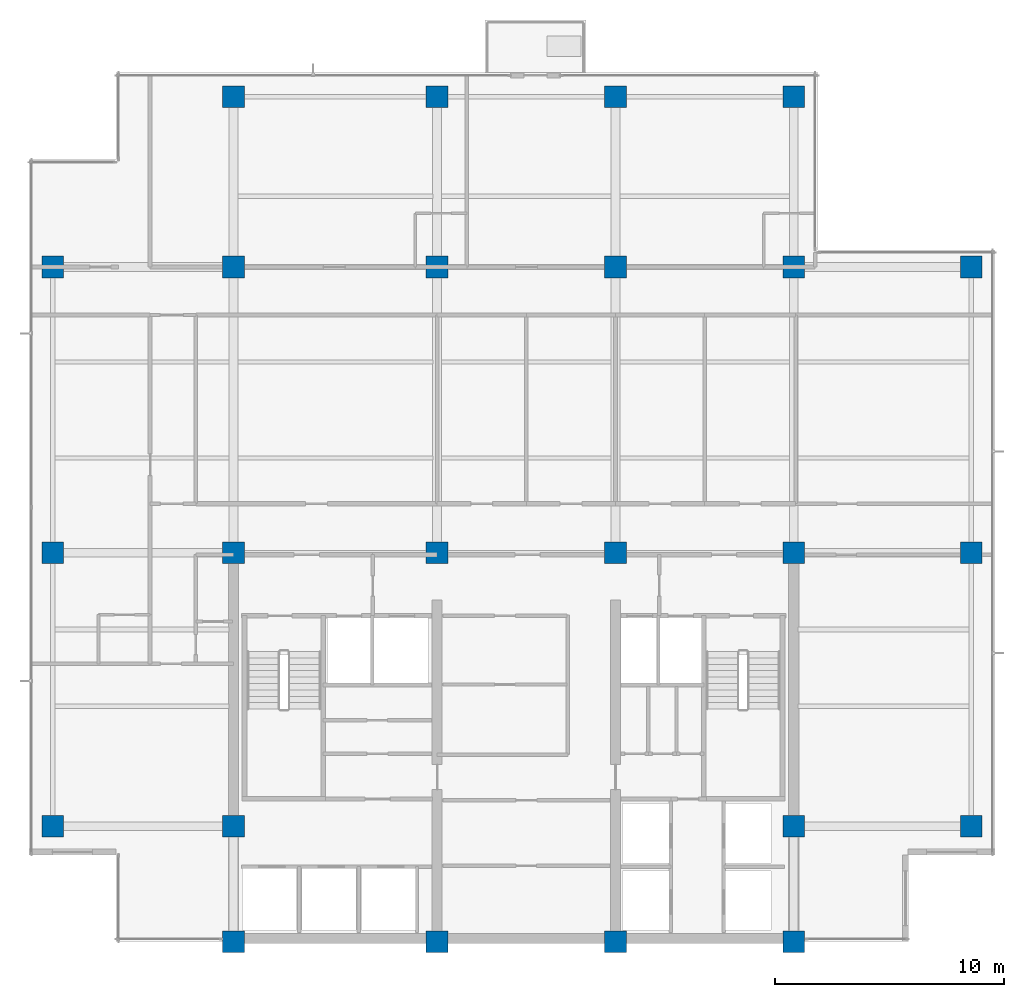
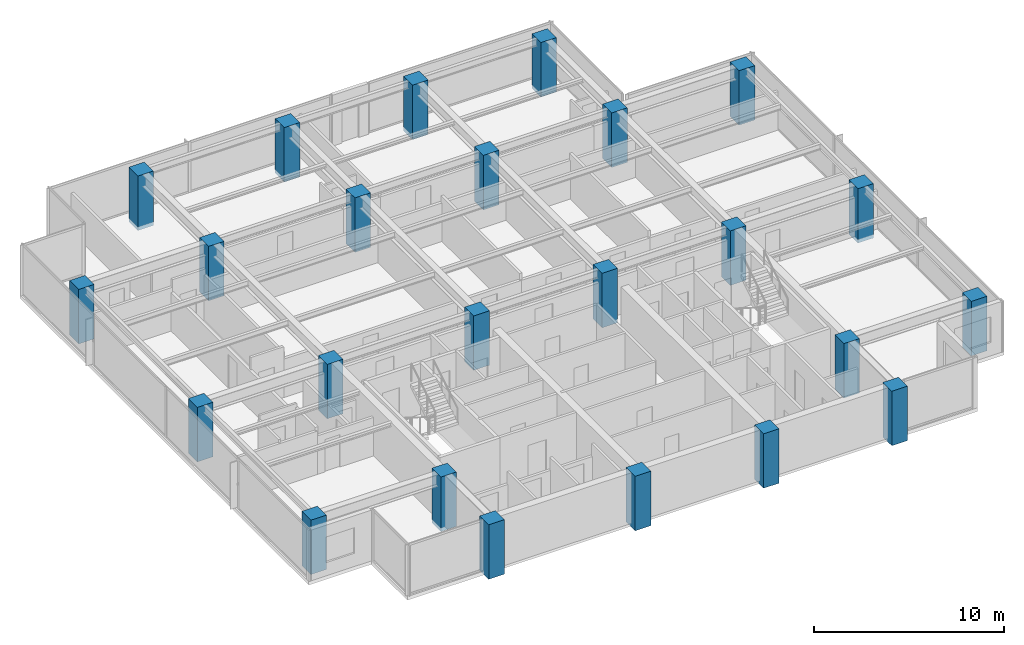
# One storey, part 1 of 15: 24 columns.
"""IFC4 building model written with IfcOpenShell, lengths in metres."""

from ifc_helpers import new_model, si_unit, direction, frame, origin, origin_2d, place, context, subcontext, project, spatial, rectangle, extrude, material, material_profile, profile_set, type_object, element, save


model = new_model("IFC4")

# Units and contexts
model_context = context("Model", 3, precision=1e-05, world=origin(), true_north=direction((0.0, 1.0)))
body_context = subcontext(model_context, "Body", "Model", "MODEL_VIEW")
ifc_project = project(units=[si_unit("LENGTHUNIT", "METRE"), si_unit("AREAUNIT", "SQUARE_METRE"), si_unit("VOLUMEUNIT", "CUBIC_METRE"), si_unit("PLANEANGLEUNIT", "RADIAN"), si_unit("MASSUNIT", "GRAM", prefix="KILO")], contexts=[model_context])

# Site, building, storey
site_placement = place(None, origin())
site = spatial("IfcSite", under=ifc_project, at=site_placement, CompositionType="ELEMENT")
building_placement = place(site_placement, origin())
building = spatial("IfcBuilding", under=site, at=building_placement, Name="Qalmaran Belvedere Hotel", CompositionType="ELEMENT")
storey_placement = place(building_placement, frame((0.0, 0.0, 221.39990234375)))
storey = spatial("IfcBuildingStorey", under=building, at=storey_placement, Name="L56", CompositionType="ELEMENT", Elevation=221.39990234375)

# Columns
ifc_material = material(Name="Concrete C50/60", Category="concrete")
ifc_material_profile = material_profile(ifc_material, rectangle(XDim=0.949951171875, YDim=0.949951171875, at=origin_2d()), Name="CC950X950")
ifc_profile_set = profile_set([ifc_material_profile], Name="Concrete C50/60")
column_type = type_object("IfcColumnType", Name="COL-Z4-CC950", PredefinedType="COLUMN", material=ifc_profile_set)
for number, where, z_axis, x_axis, name in (
    (1, (20.300048828125, 3.5, -0.239990234375), (0.0, 0.0, 1.0), (1.0, 0.0, 0.0), "L56 Column C4B"),
    (2, (29.199951171875, 3.5, -0.239990234375), (0.0, 0.0, 1.0), (1.0, 0.0, 0.0), "L56 Column C5B"),
    (3, (37.0, 3.5, -0.239990234375), (0.0, 0.0, 1.0), (1.0, 0.0, 0.0), "L56 Column C6B"),
    (4, (44.800048828125, 3.5, -0.239990234375), (0.0, 0.0, 1.0), (1.0, 0.0, 0.0), "L56 Column C7B"),
    (5, (20.300048828125, 8.550048828125, -0.239990234375), (0.0, 0.0, 1.0), (1.0, 0.0, 0.0), "L56 Column C4C"),
    (6, (44.800048828125, 8.550048828125, -0.239990234375), (0.0, 0.0, 1.0), (1.0, 0.0, 0.0), "L56 Column C7C"),
    (7, (20.300048828125, 20.5, -0.239990234375), (0.0, 0.0, 1.0), (1.0, 0.0, 0.0), "L56 Column C4D"),
    (8, (29.199951171875, 20.5, -0.239990234375), (0.0, 0.0, 1.0), (1.0, 0.0, 0.0), "L56 Column C5D"),
    (9, (37.0, 20.5, -0.239990234375), (0.0, 0.0, 1.0), (1.0, 0.0, 0.0), "L56 Column C6D"),
    (10, (44.800048828125, 20.5, -0.239990234375), (0.0, 0.0, 1.0), (1.0, 0.0, 0.0), "L56 Column C7D"),
    (11, (20.300048828125, 33.0, -0.239990234375), (0.0, 0.0, 1.0), (1.0, 0.0, 0.0), "L56 Column C4F"),
    (12, (29.199951171875, 33.0, -0.239990234375), (0.0, 0.0, 1.0), (1.0, 0.0, 0.0), "L56 Column C5F"),
    (13, (37.0, 33.0, -0.239990234375), (0.0, 0.0, 1.0), (1.0, 0.0, 0.0), "L56 Column C6F"),
    (14, (44.800048828125, 33.0, -0.239990234375), (0.0, 0.0, 1.0), (1.0, 0.0, 0.0), "L56 Column C7F"),
    (15, (12.39990234375, 8.550048828125, -0.239990234375), (0.0, 0.0, 1.0), (1.0, 0.0, 0.0), "L56 Column CW1"),
    (16, (12.39990234375, 20.5, -0.239990234375), (0.0, 0.0, 1.0), (1.0, 0.0, 0.0), "L56 Column CW3"),
    (17, (12.39990234375, 33.0, -0.239990234375), (0.0, 0.0, 1.0), (1.0, 0.0, 0.0), "L56 Column CW4"),
    (18, (52.550048828125, 8.550048828125, -0.239990234375), (0.0, 0.0, 1.0), (1.0, 0.0, 0.0), "L56 Column CE1"),
    (19, (52.550048828125, 20.5, -0.239990234375), (0.0, 0.0, 1.0), (1.0, 0.0, 0.0), "L56 Column CE3"),
    (20, (52.550048828125, 33.0, -0.239990234375), (0.0, 0.0, 1.0), (1.0, 0.0, 0.0), "L56 Column CE4"),
    (21, (20.300048828125, 40.449951171875, -0.239990234375), (0.0, 0.0, 1.0), (1.0, 0.0, 0.0), "L56 Column CN1"),
    (22, (29.199951171875, 40.449951171875, -0.239990234375), (0.0, 0.0, 1.0), (1.0, 0.0, 0.0), "L56 Column CN2"),
    (23, (37.0, 40.449951171875, -0.239990234375), (0.0, 0.0, 1.0), (1.0, 0.0, 0.0), "L56 Column CN3"),
    (24, (44.800048828125, 40.449951171875, -0.239990234375), (0.0, 0.0, 1.0), (1.0, 0.0, 0.0), "L56 Column CN4"),
):
    element("IfcColumn", number, at=place(storey_placement, frame(where, z_axis=z_axis, x_axis=x_axis)), inside=storey, type_object=column_type, Name=name, PredefinedType="COLUMN", context=body_context, shape_type="SweptSolid", body=[
        extrude(rectangle(XDim=0.949951171875, YDim=0.949951171875, at=origin_2d()), origin(), (0.0, 0.0, 1.0), 3.5),
    ])

save(model, "model.ifc")
